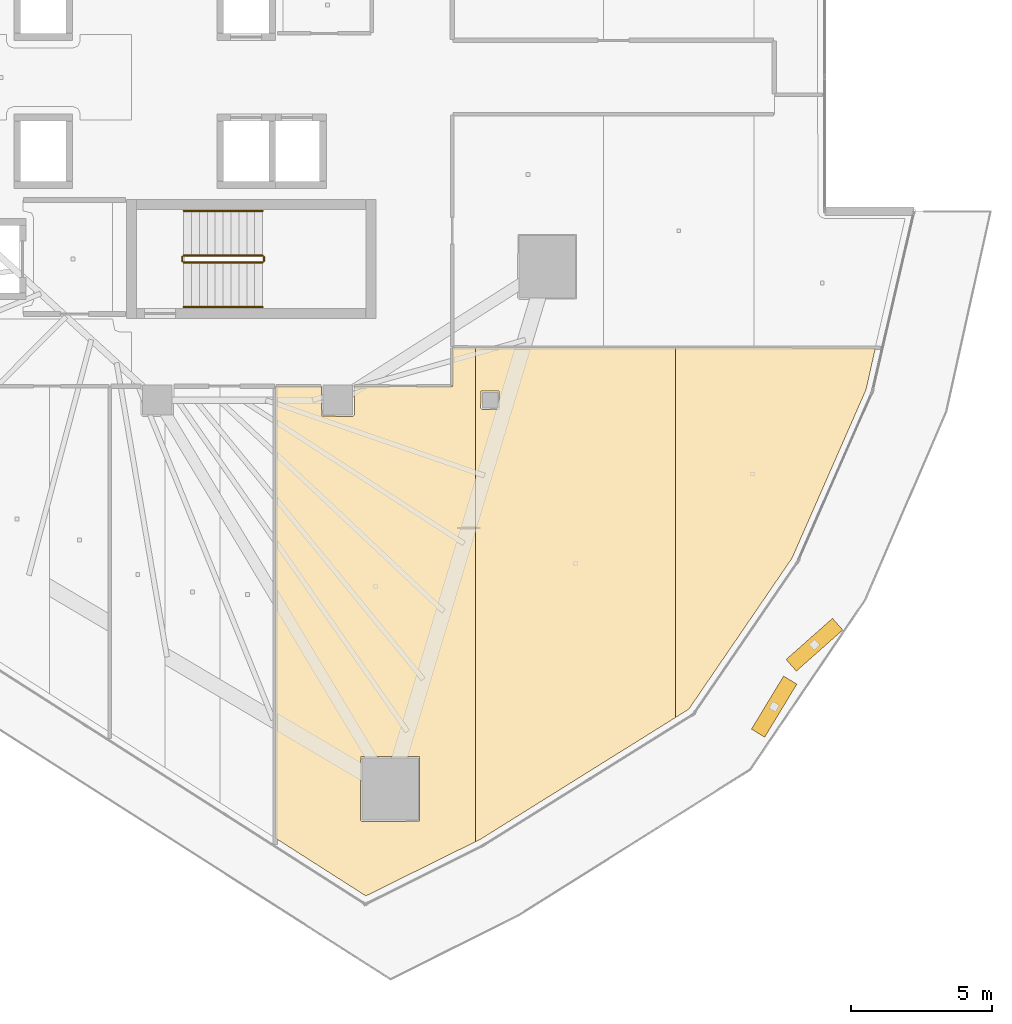
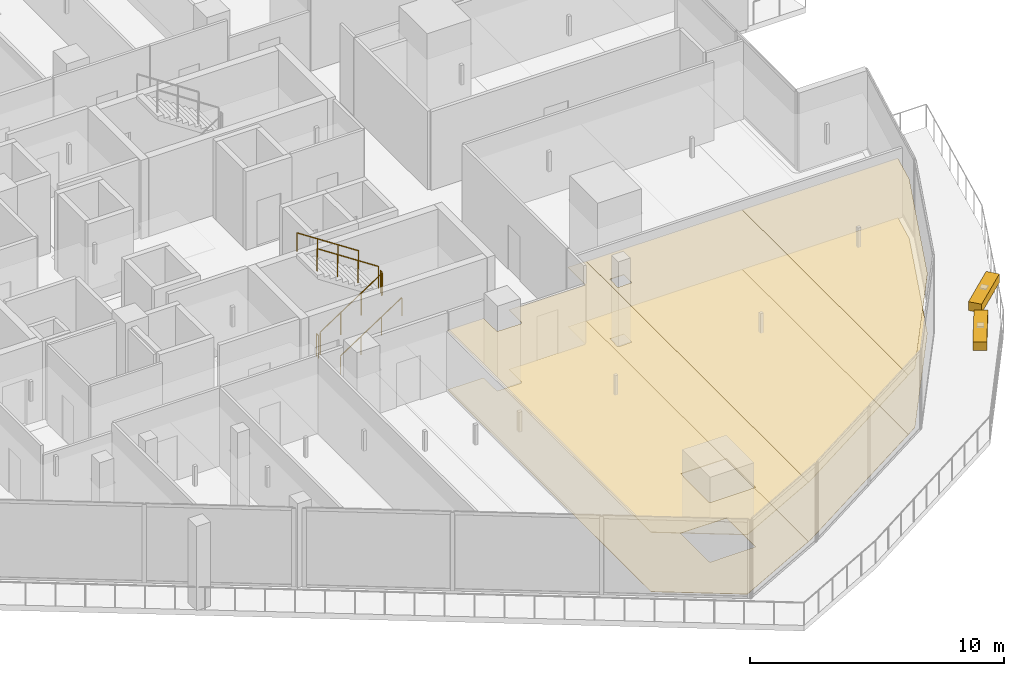
# One storey, part 36 of 39: 6 coverings, 6 railings, 2 shading devices.
"""IFC4 building model written with IfcOpenShell, lengths in metres."""

import ifcopenshell
import ifcopenshell.guid

model = None  # the IFC model being written
_history = None  # IfcOwnerHistory: only IFC2X3 demands one
_inside = {}  # id of a spatial element -> (the spatial element, [elements in it])
_under = {}  # id of a project, library or spatial element -> (it, [spatial elements below it])
_declared = {}  # id of a project -> (the project, [libraries it declares])
_typed = {}  # id of a type object -> (the type object, [elements of that type])
_made_of = {}  # id of a material, layer set ... -> (it, [elements and type objects made of it])


def new_model(schema):
    """Start an empty IFC model of exactly this schema.

    Asked for "IFC4X3", IfcOpenShell would pick the latest addendum, in which some entities
    have other attributes; the version numbers below select the first issue.
    IFC2X3 requires an IfcOwnerHistory on every rooted entity: one is made here for all.
    """
    global model, _history
    if schema == "IFC4X3":
        model = ifcopenshell.file(schema_version=(4, 3, 0, 0))
    else:
        model = ifcopenshell.file(schema=schema)
    _inside.clear()
    _under.clear()
    _declared.clear()
    _typed.clear()
    _made_of.clear()
    _history = None
    if model.schema == "IFC2X3":
        org = make("IfcOrganization", Name="unknown")
        user = make(
            "IfcPersonAndOrganization",
            ThePerson=make("IfcPerson", FamilyName="unknown"),
            TheOrganization=org,
        )
        app = make(
            "IfcApplication",
            ApplicationDeveloper=org,
            Version="unknown",
            ApplicationFullName="unknown",
            ApplicationIdentifier="unknown",
        )
        _history = make(
            "IfcOwnerHistory",
            OwningUser=user,
            OwningApplication=app,
            ChangeAction="ADDED",
            CreationDate=0,
        )
    return model


def make(cls, **values):
    """One entity of the class cls with the attributes given. An attribute that is None is left unset."""
    return model.create_entity(
        cls, **{name: value for name, value in values.items() if value is not None}
    )


def rooted(cls, **values):
    """An entity with a GlobalId (a new one), such as an element, a storey or a relation."""
    return make(cls, GlobalId=ifcopenshell.guid.new(), OwnerHistory=_history, **values)


def si_unit(unit_type, name, prefix=None):
    """IfcSIUnit, for example si_unit("LENGTHUNIT", "METRE", prefix="MILLI")."""
    return make("IfcSIUnit", UnitType=unit_type, Prefix=prefix, Name=name)


def assignment(units):
    """IfcUnitAssignment: the units of a project."""
    return None if units is None else make("IfcUnitAssignment", Units=units)


def point(xyz):
    """IfcCartesianPoint."""
    return None if xyz is None else make("IfcCartesianPoint", Coordinates=xyz)


def direction(xyz):
    """IfcDirection."""
    return None if xyz is None else make("IfcDirection", DirectionRatios=xyz)


def frame(location, z_axis=None, x_axis=None):
    """IfcAxis2Placement3D, a coordinate frame: its origin and axes. An axis left out is left unset."""
    return make(
        "IfcAxis2Placement3D",
        Location=point(location),
        Axis=direction(z_axis),
        RefDirection=direction(x_axis),
    )


def frame_2d(location, x_axis=None):
    """IfcAxis2Placement2D, a coordinate frame in the plane: its origin and x axis."""
    return make(
        "IfcAxis2Placement2D", Location=point(location), RefDirection=direction(x_axis)
    )


def origin():
    """The frame at (0, 0, 0) with its axes left unset."""
    return frame((0.0, 0.0, 0.0))


def origin_2d():
    """The frame at (0, 0) in the plane with its x axis left unset."""
    return frame_2d((0.0, 0.0))


def place(relative_to, where):
    """IfcLocalPlacement: puts the frame where relative to a parent placement (None: the world)."""
    return make(
        "IfcLocalPlacement", PlacementRelTo=relative_to, RelativePlacement=where
    )


def context(
    kind, dimensions, precision=None, world=None, true_north=None, identifier=None
):
    """IfcGeometricRepresentationContext, for example the 3D "Model" context."""
    return make(
        "IfcGeometricRepresentationContext",
        ContextIdentifier=identifier,
        ContextType=kind,
        CoordinateSpaceDimension=dimensions,
        Precision=precision,
        WorldCoordinateSystem=world,
        TrueNorth=true_north,
    )


def subcontext(parent, identifier, kind, view, scale=None):
    """IfcGeometricRepresentationSubContext, for example "Body" below "Model"."""
    return make(
        "IfcGeometricRepresentationSubContext",
        ContextIdentifier=identifier,
        ContextType=kind,
        ParentContext=parent,
        TargetScale=scale,
        TargetView=view,
    )


def project(units=None, contexts=None):
    """IfcProject with its units and contexts."""
    return rooted(
        "IfcProject",
        Name="project",
        RepresentationContexts=contexts,
        UnitsInContext=assignment(units),
    )


def spatial(cls, under=None, at=None, **own):
    """A site, building, storey or space (cls), placed at a placement, below another one or the project."""
    s = rooted(cls, ObjectPlacement=at, **own)
    if under is not None:
        _under.setdefault(under.id(), (under, []))[1].append(s)
    return s


def polyline(points):
    """IfcPolyline through the points."""
    return make("IfcPolyline", Points=[point(p) for p in points])


def profile(cls, at=None, kind="AREA", **sizes):
    """A parametric profile (cls). Its sizes go by their IFC names, for example OverallWidth=200.0."""
    return make(cls, ProfileType=kind, Position=at, **sizes)


def rectangle(**sizes):
    """IfcRectangleProfileDef."""
    return profile("IfcRectangleProfileDef", **sizes)


def circle(**sizes):
    """IfcCircleProfileDef."""
    return profile("IfcCircleProfileDef", **sizes)


def outline(outer, holes=None, kind="AREA"):
    """IfcArbitraryClosedProfileDef: a profile drawn as a closed curve; with holes, ...WithVoids."""
    if holes is None:
        return make("IfcArbitraryClosedProfileDef", ProfileType=kind, OuterCurve=outer)
    return make(
        "IfcArbitraryProfileDefWithVoids",
        ProfileType=kind,
        OuterCurve=outer,
        InnerCurves=holes,
    )


def extrude(swept, where, along, depth):
    """IfcExtrudedAreaSolid: the profile swept, set in the frame where, extruded along a direction by depth."""
    return make(
        "IfcExtrudedAreaSolid",
        SweptArea=swept,
        Position=where,
        ExtrudedDirection=direction(along),
        Depth=depth,
    )


def shape(context_of_items, identifier, shape_type, items):
    """IfcShapeRepresentation: the items that make up one representation, for example the "Body"."""
    return make(
        "IfcShapeRepresentation",
        ContextOfItems=context_of_items,
        RepresentationIdentifier=identifier,
        RepresentationType=shape_type,
        Items=items,
    )


def material(Name=None, Category=None):
    """IfcMaterial."""
    return make("IfcMaterial", Name=Name, Category=Category)


def layer(
    of_material, thickness, ventilated=None, Name=None, Category=None, Priority=None
):
    """IfcMaterialLayer: one layer of a wall or slab, of a material (None: an air gap)."""
    return make(
        "IfcMaterialLayer",
        Material=of_material,
        LayerThickness=thickness,
        IsVentilated=ventilated,
        Name=Name,
        Category=Category,
        Priority=Priority,
    )


def layer_set(layers, Name=None):
    """IfcMaterialLayerSet."""
    return make("IfcMaterialLayerSet", MaterialLayers=layers, LayerSetName=Name)


def made_of(thing, what):
    """Note that an element or type object is made of a material, layer set ...; save() writes the relation."""
    if what is not None:
        _made_of.setdefault(what.id(), (what, []))[1].append(thing)
    return thing


def type_object(cls, material=None, **own):
    """A type object (cls), such as IfcWallType, which elements share."""
    return made_of(rooted(cls, **own), material)


def element(
    cls,
    number,
    at=None,
    inside=None,
    cuts=None,
    type_object=None,
    material=None,
    context=None,
    identifier="Body",
    shape_type=None,
    held_by="IfcProductDefinitionShape",
    body=None,
    shapes=None,
    **own,
):
    """One element of the class cls, such as IfcWall. Its Tag is "e" and its number.

    at: its placement. inside: the storey or other place that contains it. cuts: it is an
    opening in that element (IfcRelVoidsElement). A single representation is given by context,
    identifier, shape_type and body (its items); several are given by shapes. held_by: the class
    of the entity that holds the representations. save() writes the other relations.
    """
    e = rooted(cls, Tag="e%d" % number, ObjectPlacement=at, **own)
    if body is not None:
        shapes = [shape(context, identifier, shape_type, body)]
    if shapes is not None:
        e.Representation = make(held_by, Representations=shapes)
    if inside is not None:
        _inside.setdefault(inside.id(), (inside, []))[1].append(e)
    if cuts is not None:
        rooted(
            "IfcRelVoidsElement", RelatingBuildingElement=cuts, RelatedOpeningElement=e
        )
    if type_object is not None:
        _typed.setdefault(type_object.id(), (type_object, []))[1].append(e)
    return made_of(e, material)


def aggregate(whole, parts):
    """IfcRelAggregates: a whole, such as a stair, and the parts it consists of."""
    return rooted("IfcRelAggregates", RelatingObject=whole, RelatedObjects=parts)


def save(model, path):
    """Write the relations noted so far, then the file.

    IfcRelAggregates (storeys below a building ...), IfcRelContainedInSpatialStructure (elements
    in a storey), IfcRelDefinesByType, IfcRelAssociatesMaterial and IfcRelDeclares: one each for
    every whole, place, type object, material and project.
    """
    for whole, parts in _under.values():
        aggregate(whole, parts)
    for where, things in _inside.values():
        rooted(
            "IfcRelContainedInSpatialStructure",
            RelatedElements=things,
            RelatingStructure=where,
        )
    for kind, things in _typed.values():
        rooted("IfcRelDefinesByType", RelatedObjects=things, RelatingType=kind)
    for what, things in _made_of.values():
        rooted("IfcRelAssociatesMaterial", RelatedObjects=things, RelatingMaterial=what)
    for by, libraries in _declared.values():
        rooted("IfcRelDeclares", RelatingContext=by, RelatedDefinitions=libraries)
    model.write(path)


model = new_model("IFC4")

# Units and contexts
model_context = context("Model", 3, precision=1e-05, world=origin(), true_north=direction((0.0, 1.0)))
body_context = subcontext(model_context, "Body", "Model", "MODEL_VIEW")
ifc_project = project(units=[si_unit("LENGTHUNIT", "METRE"), si_unit("AREAUNIT", "SQUARE_METRE"), si_unit("VOLUMEUNIT", "CUBIC_METRE"), si_unit("PLANEANGLEUNIT", "RADIAN"), si_unit("MASSUNIT", "GRAM", prefix="KILO")], contexts=[model_context])

# Site, building, storey
site_placement = place(None, origin())
site = spatial("IfcSite", under=ifc_project, at=site_placement, CompositionType="ELEMENT")
building_placement = place(site_placement, origin())
building = spatial("IfcBuilding", under=site, at=building_placement, Name="Qorvath Tower", CompositionType="ELEMENT")
storey_placement = place(building_placement, frame((0.0, 0.0, 162.449951171875)))
storey = spatial("IfcBuildingStorey", under=building, at=storey_placement, Name="L37", CompositionType="ELEMENT", Elevation=162.449951171875)

# Coverings
ifc_material_1 = material(Name="Acoustic mineral fibre ceiling tile", Category="gypsum")
ifc_layer_1 = layer(ifc_material_1, 0.030029296875)
ifc_layer_set_1 = layer_set([ifc_layer_1], Name="COV-CEIL")
covering_type_1 = type_object("IfcCoveringType", Name="COV-CEIL", PredefinedType="CEILING", material=ifc_layer_set_1)
covering_1_placement = place(storey_placement, frame((0.0, 0.0, 2.85009765625)))
element("IfcCovering", 1, at=covering_1_placement, inside=storey, type_object=covering_type_1, Name="L37 Suspended Acoustic Ceiling 029", PredefinedType="CEILING", context=body_context, shape_type="SweptSolid", body=[
    extrude(outline(polyline([(-19.408203125, -26.99560546875), (-16.206298828125, -29.0419921875), (-12.315185546875, -27.11767578125), (-12.315185546875, -9.591552734375), (-13.136962890625, -9.59130859375), (-13.138427734375, -10.96142578125), (-16.614990234375, -10.962890625), (-16.614990234375, -11.97509765625), (-16.675048828125, -12.034912109375), (-17.767333984375, -12.017333984375), (-17.784912109375, -10.962890625), (-19.408203125, -10.962890625), (-19.408203125, -26.99560546875)]), holes=[polyline([(-16.404296875, -26.34619140625), (-16.38671875, -24.103759765625), (-14.3017578125, -24.103759765625), (-14.3017578125, -26.388427734375), (-16.34423828125, -26.406005859375), (-16.404296875, -26.34619140625)])]), origin(), (0.0, 0.0, 1.0), 0.030029296875),
])
covering_2_placement = place(storey_placement, frame((0.0, 0.0, 2.85009765625)))
element("IfcCovering", 2, at=covering_2_placement, inside=storey, type_object=covering_type_1, Name="L37 Suspended Acoustic Ceiling 030", PredefinedType="CEILING", context=body_context, shape_type="SweptSolid", body=[
    extrude(outline(polyline([(-12.315185546875, -9.591552734375), (-12.315185546875, -27.11767578125), (-12.145263671875, -27.03369140625), (-5.221923828125, -22.712646484375), (-5.221923828125, -9.59375), (-12.315185546875, -9.591552734375)]), holes=[polyline([(-12.135009765625, -11.72509765625), (-12.117431640625, -11.132568359375), (-11.482666015625, -11.132568359375), (-11.482666015625, -11.767333984375), (-12.074951171875, -11.784912109375), (-12.135009765625, -11.72509765625)])]), origin(), (0.0, 0.0, 1.0), 0.030029296875),
])
covering_3_placement = place(storey_placement, frame((0.0, 0.0, 2.85009765625)))
element("IfcCovering", 3, at=covering_3_placement, inside=storey, type_object=covering_type_1, Name="L37 Suspended Acoustic Ceiling 031", PredefinedType="CEILING", context=body_context, shape_type="SweptSolid", body=[
    extrude(outline(polyline([(-5.221923828125, -9.59375), (-5.221923828125, -22.712646484375), (-4.75146484375, -22.4189453125), (-1.084716796875, -17.054931640625), (1.5380859375, -11.080322265625), (1.871337890625, -9.595947265625), (-5.221923828125, -9.59375)])), origin(), (0.0, 0.0, 1.0), 0.030029296875),
])
ifc_material_2 = material(Name="Low-VOC modular carpet tile", Category="textile")
ifc_layer_2 = layer(ifc_material_2, 0.014892578125)
ifc_layer_set_2 = layer_set([ifc_layer_2], Name="COV-FLOOR-CPT")
covering_type_2 = type_object("IfcCoveringType", Name="COV-FLOOR-CPT", PredefinedType="FLOORING", material=ifc_layer_set_2)
covering_4_placement = place(storey_placement, origin())
element("IfcCovering", 4, at=covering_4_placement, inside=storey, type_object=covering_type_2, Name="L37 Floor Finish 029", PredefinedType="FLOORING", context=body_context, shape_type="SweptSolid", body=[
    extrude(outline(polyline([(-19.408203125, -26.99560546875), (-16.206298828125, -29.0419921875), (-12.315185546875, -27.11767578125), (-12.315185546875, -9.591552734375), (-13.136962890625, -9.59130859375), (-13.138427734375, -10.96142578125), (-16.614990234375, -10.962890625), (-16.614990234375, -11.97509765625), (-16.675048828125, -12.034912109375), (-17.767333984375, -12.017333984375), (-17.784912109375, -10.962890625), (-19.408203125, -10.962890625), (-19.408203125, -26.99560546875)]), holes=[polyline([(-16.404296875, -26.34619140625), (-16.38671875, -24.103759765625), (-14.3017578125, -24.103759765625), (-14.3017578125, -26.388427734375), (-16.34423828125, -26.406005859375), (-16.404296875, -26.34619140625)])]), origin(), (0.0, 0.0, 1.0), 0.01513671875),
])
covering_5_placement = place(storey_placement, origin())
element("IfcCovering", 5, at=covering_5_placement, inside=storey, type_object=covering_type_2, Name="L37 Floor Finish 030", PredefinedType="FLOORING", context=body_context, shape_type="SweptSolid", body=[
    extrude(outline(polyline([(-12.315185546875, -9.591552734375), (-12.315185546875, -27.11767578125), (-12.145263671875, -27.03369140625), (-5.221923828125, -22.712646484375), (-5.221923828125, -9.59375), (-12.315185546875, -9.591552734375)]), holes=[polyline([(-12.135009765625, -11.72509765625), (-12.117431640625, -11.132568359375), (-11.482666015625, -11.132568359375), (-11.482666015625, -11.767333984375), (-12.074951171875, -11.784912109375), (-12.135009765625, -11.72509765625)])]), origin(), (0.0, 0.0, 1.0), 0.01513671875),
])
covering_6_placement = place(storey_placement, origin())
element("IfcCovering", 6, at=covering_6_placement, inside=storey, type_object=covering_type_2, Name="L37 Floor Finish 031", PredefinedType="FLOORING", context=body_context, shape_type="SweptSolid", body=[
    extrude(outline(polyline([(-5.221923828125, -9.59375), (-5.221923828125, -22.712646484375), (-4.75146484375, -22.4189453125), (-1.084716796875, -17.054931640625), (1.5380859375, -11.080322265625), (1.871337890625, -9.595947265625), (-5.221923828125, -9.59375)])), origin(), (0.0, 0.0, 1.0), 0.01513671875),
])

# Railings
ifc_material_3 = material(Name="Painted galvanised steel", Category="steel")
railing_type_1 = type_object("IfcRailingType", Name="RL-STR-GRD", PredefinedType="GUARDRAIL", material=ifc_material_3)
railing_1_placement = place(storey_placement, frame((-22.669921875, -6.570068359375, 0.18408203125)))
element("IfcRailing", 7, at=railing_1_placement, inside=storey, type_object=railing_type_1, Name="L37 TS2 stair guard 1", PredefinedType="GUARDRAIL", context=body_context, shape_type="SweptSolid", body=[
    extrude(circle(Radius=0.02392578125, at=origin_2d()), frame((0.0, 0.0, 1.076171875), z_axis=(0.835542071712, 0.0, 0.549426470421), x_axis=(0.0, 1.0, 0.0)), (0.0, 0.0, 1.0), 3.350830078125),
    extrude(circle(Radius=0.02099609375, at=origin_2d()), origin(), (0.0, 0.0, 1.0), 1.052001953125),
    extrude(circle(Radius=0.02099609375, at=origin_2d()), frame((0.933349609375, 0.0, 0.61376953125)), (0.0, 0.0, 1.0), 1.052001953125),
    extrude(circle(Radius=0.02099609375, at=origin_2d()), frame((1.866455078125, 0.0, 1.227294921875)), (0.0, 0.0, 1.0), 1.052001953125),
    extrude(circle(Radius=0.02099609375, at=origin_2d()), frame((2.7998046875, 0.0, 1.841064453125)), (0.0, 0.0, 1.0), 1.052001953125),
])
railing_2_placement = place(storey_placement, frame((-19.820068359375, -6.52001953125, 2.025146484375)))
element("IfcRailing", 8, at=railing_2_placement, inside=storey, type_object=railing_type_1, Name="L37 TS2 stair guard 2", PredefinedType="GUARDRAIL", context=body_context, shape_type="SweptSolid", body=[
    extrude(circle(Radius=0.02392578125, at=origin_2d()), frame((0.0, 0.0, 1.076171875), z_axis=(0.0, 1.0, 0.0), x_axis=(-1.0, 0.0, 0.0)), (0.0, 0.0, 1.0), 0.14990234375),
    extrude(circle(Radius=0.02099609375, at=origin_2d()), origin(), (0.0, 0.0, 1.0), 1.052001953125),
    extrude(circle(Radius=0.02099609375, at=origin_2d()), frame((0.0, 0.14990234375, 0.0)), (0.0, 0.0, 1.0), 1.052001953125),
])
railing_3_placement = place(storey_placement, frame((-19.8701171875, -6.320068359375, 2.209228515625)))
element("IfcRailing", 9, at=railing_3_placement, inside=storey, type_object=railing_type_1, Name="L37 TS2 stair guard 3", PredefinedType="GUARDRAIL", context=body_context, shape_type="SweptSolid", body=[
    extrude(circle(Radius=0.02392578125, at=origin_2d()), frame((0.0, 0.0, 1.076171875), z_axis=(-0.835575518608, 0.0, 0.549375602573), x_axis=(0.0, -1.0, 0.0)), (0.0, 0.0, 1.0), 3.350830078125),
    extrude(circle(Radius=0.02099609375, at=origin_2d()), origin(), (0.0, 0.0, 1.0), 1.052001953125),
    extrude(circle(Radius=0.02099609375, at=origin_2d()), frame((-0.933349609375, 0.0, 0.613525390625)), (0.0, 0.0, 1.0), 1.052001953125),
    extrude(circle(Radius=0.02099609375, at=origin_2d()), frame((-1.866455078125, 0.0, 1.227294921875)), (0.0, 0.0, 1.0), 1.052001953125),
    extrude(circle(Radius=0.02099609375, at=origin_2d()), frame((-2.7998046875, 0.0, 1.8408203125)), (0.0, 0.0, 1.0), 1.052001953125),
])
railing_4_placement = place(storey_placement, frame((-22.719970703125, -6.52001953125, 0.0)))
element("IfcRailing", 10, at=railing_4_placement, inside=storey, type_object=railing_type_1, Name="L37 TS2 stair guard 4", PredefinedType="GUARDRAIL", context=body_context, shape_type="SweptSolid", body=[
    extrude(circle(Radius=0.02392578125, at=origin_2d()), frame((0.0, 0.0, 1.076171875), z_axis=(0.0, 1.0, 0.0), x_axis=(-1.0, 0.0, 0.0)), (0.0, 0.0, 1.0), 0.14990234375),
    extrude(circle(Radius=0.02099609375, at=origin_2d()), origin(), (0.0, 0.0, 1.0), 1.052001953125),
    extrude(circle(Radius=0.02099609375, at=origin_2d()), frame((0.0, 0.14990234375, 0.0)), (0.0, 0.0, 1.0), 1.052001953125),
])
ifc_material_4 = material(Name="Brushed stainless steel AISI 304", Category="steel")
railing_type_2 = type_object("IfcRailingType", Name="RL-STR-HND", PredefinedType="HANDRAIL", material=ifc_material_4)
railing_5_placement = place(storey_placement, frame((-22.669921875, -8.14990234375, 0.18408203125)))
element("IfcRailing", 11, at=railing_5_placement, inside=storey, type_object=railing_type_2, Name="L37 TS2 stair handrail 1", PredefinedType="HANDRAIL", context=body_context, shape_type="SweptSolid", body=[
    extrude(circle(Radius=0.02392578125, at=origin_2d()), frame((0.0, 0.0, 0.8759765625), z_axis=(0.835542071712, 0.0, 0.549426470421), x_axis=(0.0, 1.0, 0.0)), (0.0, 0.0, 1.0), 3.350830078125),
    extrude(circle(Radius=0.02099609375, at=origin_2d()), origin(), (0.0, 0.0, 1.0), 0.851806640625),
    extrude(circle(Radius=0.02099609375, at=origin_2d()), frame((0.933349609375, 0.0, 0.61376953125)), (0.0, 0.0, 1.0), 0.851806640625),
    extrude(circle(Radius=0.02099609375, at=origin_2d()), frame((1.866455078125, 0.0, 1.227294921875)), (0.0, 0.0, 1.0), 0.851806640625),
    extrude(circle(Radius=0.02099609375, at=origin_2d()), frame((2.7998046875, 0.0, 1.841064453125)), (0.0, 0.0, 1.0), 0.851806640625),
])
railing_6_placement = place(storey_placement, frame((-19.8701171875, -4.739990234375, 2.209228515625)))
element("IfcRailing", 12, at=railing_6_placement, inside=storey, type_object=railing_type_2, Name="L37 TS2 stair handrail 2", PredefinedType="HANDRAIL", context=body_context, shape_type="SweptSolid", body=[
    extrude(circle(Radius=0.02392578125, at=origin_2d()), frame((0.0, 0.0, 0.8759765625), z_axis=(-0.835575518608, 0.0, 0.549375602573), x_axis=(0.0, -1.0, 0.0)), (0.0, 0.0, 1.0), 3.350830078125),
    extrude(circle(Radius=0.02099609375, at=origin_2d()), origin(), (0.0, 0.0, 1.0), 0.851806640625),
    extrude(circle(Radius=0.02099609375, at=origin_2d()), frame((-0.933349609375, 0.0, 0.613525390625)), (0.0, 0.0, 1.0), 0.851806640625),
    extrude(circle(Radius=0.02099609375, at=origin_2d()), frame((-1.866455078125, 0.0, 1.227294921875)), (0.0, 0.0, 1.0), 0.851806640625),
    extrude(circle(Radius=0.02099609375, at=origin_2d()), frame((-2.7998046875, 0.0, 1.8408203125)), (0.0, 0.0, 1.0), 0.851806640625),
])

# Shading devices
ifc_material_5 = material(Name="Anodised bronze-champagne aluminium", Category="aluminium")
shading_device_type = type_object("IfcShadingDeviceType", Name="SD-LOUVRE", PredefinedType="JALOUSIE", material=ifc_material_5)
for number, where, z_axis, x_axis, name in (
    (13, (-1.721923828125, -22.32666015625, 3.360107421875), (0.0, 0.0, 1.0), (0.518197188836, 0.855261172673, 0.0), "Sinusoidal Wave Louvre Blade L37-03"),
    (14, (-0.29296875, -20.13037109375, 3.360107421875), (0.0, 0.0, 1.0), (0.748506830915, 0.663127079883, 0.0), "Sinusoidal Wave Louvre Blade L37-04"),
):
    element("IfcShadingDevice", number, at=place(storey_placement, frame(where, z_axis=z_axis, x_axis=x_axis)), inside=storey, type_object=shading_device_type, Name=name, PredefinedType="NOTDEFINED", context=body_context, shape_type="SweptSolid", body=[
        extrude(rectangle(XDim=2.199951171875, YDim=0.550048828125, at=origin_2d()), origin(), (0.0, 0.0, 1.0), 0.419921875),
    ])

save(model, "model.ifc")
